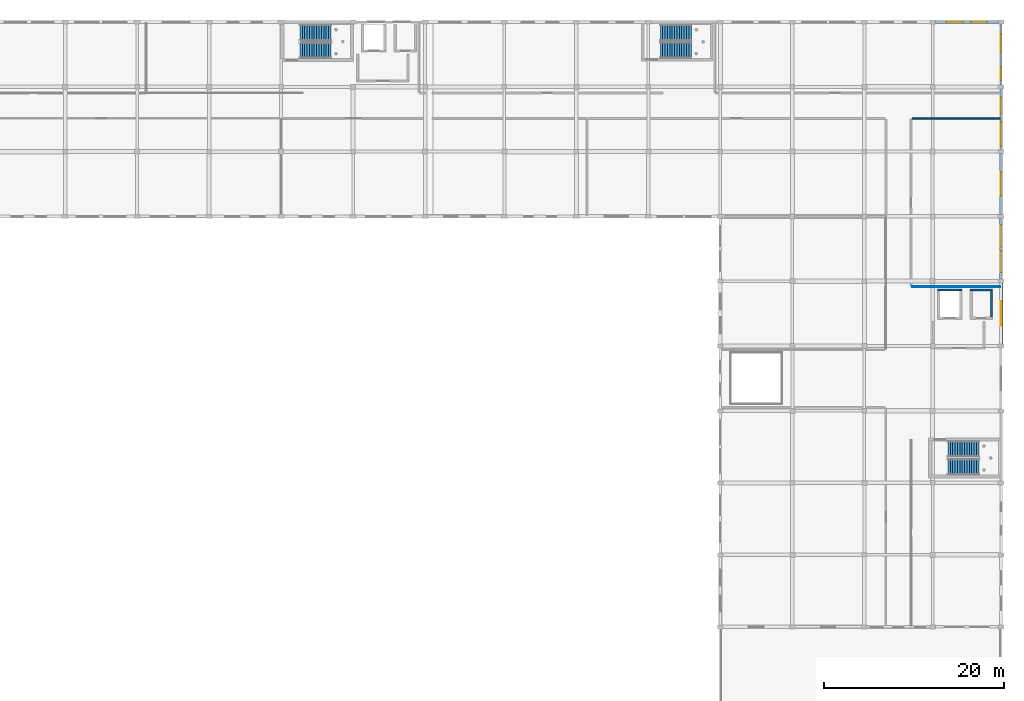
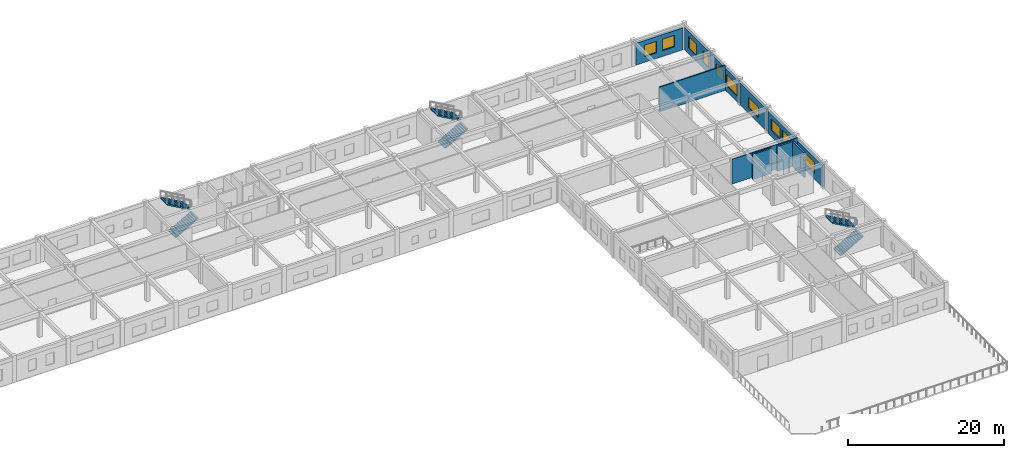
# One storey, part 15 of 19: 11 walls, 10 windows, 6 stair flights, 10 openings, 3 elements without a shape of their own.
"""IFC4 building model written with IfcOpenShell, lengths in metres."""

import ifcopenshell
import ifcopenshell.guid

model = None  # the IFC model being written
_history = None  # IfcOwnerHistory: only IFC2X3 demands one
_inside = {}  # id of a spatial element -> (the spatial element, [elements in it])
_under = {}  # id of a project, library or spatial element -> (it, [spatial elements below it])
_declared = {}  # id of a project -> (the project, [libraries it declares])
_typed = {}  # id of a type object -> (the type object, [elements of that type])
_made_of = {}  # id of a material, layer set ... -> (it, [elements and type objects made of it])


def new_model(schema):
    """Start an empty IFC model of exactly this schema.

    Asked for "IFC4X3", IfcOpenShell would pick the latest addendum, in which some entities
    have other attributes; the version numbers below select the first issue.
    IFC2X3 requires an IfcOwnerHistory on every rooted entity: one is made here for all.
    """
    global model, _history
    if schema == "IFC4X3":
        model = ifcopenshell.file(schema_version=(4, 3, 0, 0))
    else:
        model = ifcopenshell.file(schema=schema)
    _inside.clear()
    _under.clear()
    _declared.clear()
    _typed.clear()
    _made_of.clear()
    _history = None
    if model.schema == "IFC2X3":
        org = make("IfcOrganization", Name="unknown")
        user = make(
            "IfcPersonAndOrganization",
            ThePerson=make("IfcPerson", FamilyName="unknown"),
            TheOrganization=org,
        )
        app = make(
            "IfcApplication",
            ApplicationDeveloper=org,
            Version="unknown",
            ApplicationFullName="unknown",
            ApplicationIdentifier="unknown",
        )
        _history = make(
            "IfcOwnerHistory",
            OwningUser=user,
            OwningApplication=app,
            ChangeAction="ADDED",
            CreationDate=0,
        )
    return model


def make(cls, **values):
    """One entity of the class cls with the attributes given. An attribute that is None is left unset."""
    return model.create_entity(
        cls, **{name: value for name, value in values.items() if value is not None}
    )


def rooted(cls, **values):
    """An entity with a GlobalId (a new one), such as an element, a storey or a relation."""
    return make(cls, GlobalId=ifcopenshell.guid.new(), OwnerHistory=_history, **values)


def si_unit(unit_type, name, prefix=None):
    """IfcSIUnit, for example si_unit("LENGTHUNIT", "METRE", prefix="MILLI")."""
    return make("IfcSIUnit", UnitType=unit_type, Prefix=prefix, Name=name)


def assignment(units):
    """IfcUnitAssignment: the units of a project."""
    return None if units is None else make("IfcUnitAssignment", Units=units)


def point(xyz):
    """IfcCartesianPoint."""
    return None if xyz is None else make("IfcCartesianPoint", Coordinates=xyz)


def direction(xyz):
    """IfcDirection."""
    return None if xyz is None else make("IfcDirection", DirectionRatios=xyz)


def frame(location, z_axis=None, x_axis=None):
    """IfcAxis2Placement3D, a coordinate frame: its origin and axes. An axis left out is left unset."""
    return make(
        "IfcAxis2Placement3D",
        Location=point(location),
        Axis=direction(z_axis),
        RefDirection=direction(x_axis),
    )


def frame_2d(location, x_axis=None):
    """IfcAxis2Placement2D, a coordinate frame in the plane: its origin and x axis."""
    return make(
        "IfcAxis2Placement2D", Location=point(location), RefDirection=direction(x_axis)
    )


def origin():
    """The frame at (0, 0, 0) with its axes left unset."""
    return frame((0.0, 0.0, 0.0))


def place(relative_to, where):
    """IfcLocalPlacement: puts the frame where relative to a parent placement (None: the world)."""
    return make(
        "IfcLocalPlacement", PlacementRelTo=relative_to, RelativePlacement=where
    )


def context(
    kind, dimensions, precision=None, world=None, true_north=None, identifier=None
):
    """IfcGeometricRepresentationContext, for example the 3D "Model" context."""
    return make(
        "IfcGeometricRepresentationContext",
        ContextIdentifier=identifier,
        ContextType=kind,
        CoordinateSpaceDimension=dimensions,
        Precision=precision,
        WorldCoordinateSystem=world,
        TrueNorth=true_north,
    )


def subcontext(parent, identifier, kind, view, scale=None):
    """IfcGeometricRepresentationSubContext, for example "Body" below "Model"."""
    return make(
        "IfcGeometricRepresentationSubContext",
        ContextIdentifier=identifier,
        ContextType=kind,
        ParentContext=parent,
        TargetScale=scale,
        TargetView=view,
    )


def project(units=None, contexts=None):
    """IfcProject with its units and contexts."""
    return rooted(
        "IfcProject",
        Name="project",
        RepresentationContexts=contexts,
        UnitsInContext=assignment(units),
    )


def spatial(cls, under=None, at=None, **own):
    """A site, building, storey or space (cls), placed at a placement, below another one or the project."""
    s = rooted(cls, ObjectPlacement=at, **own)
    if under is not None:
        _under.setdefault(under.id(), (under, []))[1].append(s)
    return s


def polyline(points):
    """IfcPolyline through the points."""
    return make("IfcPolyline", Points=[point(p) for p in points])


def profile(cls, at=None, kind="AREA", **sizes):
    """A parametric profile (cls). Its sizes go by their IFC names, for example OverallWidth=200.0."""
    return make(cls, ProfileType=kind, Position=at, **sizes)


def rectangle(**sizes):
    """IfcRectangleProfileDef."""
    return profile("IfcRectangleProfileDef", **sizes)


def outline(outer, holes=None, kind="AREA"):
    """IfcArbitraryClosedProfileDef: a profile drawn as a closed curve; with holes, ...WithVoids."""
    if holes is None:
        return make("IfcArbitraryClosedProfileDef", ProfileType=kind, OuterCurve=outer)
    return make(
        "IfcArbitraryProfileDefWithVoids",
        ProfileType=kind,
        OuterCurve=outer,
        InnerCurves=holes,
    )


def extrude(swept, where, along, depth):
    """IfcExtrudedAreaSolid: the profile swept, set in the frame where, extruded along a direction by depth."""
    return make(
        "IfcExtrudedAreaSolid",
        SweptArea=swept,
        Position=where,
        ExtrudedDirection=direction(along),
        Depth=depth,
    )


def shape(context_of_items, identifier, shape_type, items):
    """IfcShapeRepresentation: the items that make up one representation, for example the "Body"."""
    return make(
        "IfcShapeRepresentation",
        ContextOfItems=context_of_items,
        RepresentationIdentifier=identifier,
        RepresentationType=shape_type,
        Items=items,
    )


def material(Name=None, Category=None):
    """IfcMaterial."""
    return make("IfcMaterial", Name=Name, Category=Category)


def layer(
    of_material, thickness, ventilated=None, Name=None, Category=None, Priority=None
):
    """IfcMaterialLayer: one layer of a wall or slab, of a material (None: an air gap)."""
    return make(
        "IfcMaterialLayer",
        Material=of_material,
        LayerThickness=thickness,
        IsVentilated=ventilated,
        Name=Name,
        Category=Category,
        Priority=Priority,
    )


def layer_set(layers, Name=None):
    """IfcMaterialLayerSet."""
    return make("IfcMaterialLayerSet", MaterialLayers=layers, LayerSetName=Name)


def made_of(thing, what):
    """Note that an element or type object is made of a material, layer set ...; save() writes the relation."""
    if what is not None:
        _made_of.setdefault(what.id(), (what, []))[1].append(thing)
    return thing


def type_object(cls, material=None, **own):
    """A type object (cls), such as IfcWallType, which elements share."""
    return made_of(rooted(cls, **own), material)


def element(
    cls,
    number,
    at=None,
    inside=None,
    cuts=None,
    type_object=None,
    material=None,
    context=None,
    identifier="Body",
    shape_type=None,
    held_by="IfcProductDefinitionShape",
    body=None,
    shapes=None,
    **own,
):
    """One element of the class cls, such as IfcWall. Its Tag is "e" and its number.

    at: its placement. inside: the storey or other place that contains it. cuts: it is an
    opening in that element (IfcRelVoidsElement). A single representation is given by context,
    identifier, shape_type and body (its items); several are given by shapes. held_by: the class
    of the entity that holds the representations. save() writes the other relations.
    """
    e = rooted(cls, Tag="e%d" % number, ObjectPlacement=at, **own)
    if body is not None:
        shapes = [shape(context, identifier, shape_type, body)]
    if shapes is not None:
        e.Representation = make(held_by, Representations=shapes)
    if inside is not None:
        _inside.setdefault(inside.id(), (inside, []))[1].append(e)
    if cuts is not None:
        rooted(
            "IfcRelVoidsElement", RelatingBuildingElement=cuts, RelatedOpeningElement=e
        )
    if type_object is not None:
        _typed.setdefault(type_object.id(), (type_object, []))[1].append(e)
    return made_of(e, material)


def fill(opening, filler):
    """IfcRelFillsElement: the door or window that sits in an opening."""
    return rooted(
        "IfcRelFillsElement",
        RelatingOpeningElement=opening,
        RelatedBuildingElement=filler,
    )


def aggregate(whole, parts):
    """IfcRelAggregates: a whole, such as a stair, and the parts it consists of."""
    return rooted("IfcRelAggregates", RelatingObject=whole, RelatedObjects=parts)


def save(model, path):
    """Write the relations noted so far, then the file.

    IfcRelAggregates (storeys below a building ...), IfcRelContainedInSpatialStructure (elements
    in a storey), IfcRelDefinesByType, IfcRelAssociatesMaterial and IfcRelDeclares: one each for
    every whole, place, type object, material and project.
    """
    for whole, parts in _under.values():
        aggregate(whole, parts)
    for where, things in _inside.values():
        rooted(
            "IfcRelContainedInSpatialStructure",
            RelatedElements=things,
            RelatingStructure=where,
        )
    for kind, things in _typed.values():
        rooted("IfcRelDefinesByType", RelatedObjects=things, RelatingType=kind)
    for what, things in _made_of.values():
        rooted("IfcRelAssociatesMaterial", RelatedObjects=things, RelatingMaterial=what)
    for by, libraries in _declared.values():
        rooted("IfcRelDeclares", RelatingContext=by, RelatedDefinitions=libraries)
    model.write(path)


model = new_model("IFC4")

# Units and contexts
model_context = context("Model", 3, precision=1e-05, world=origin(), true_north=direction((0.0, 1.0)))
body_context = subcontext(model_context, "Body", "Model", "MODEL_VIEW")
ifc_project = project(units=[si_unit("LENGTHUNIT", "METRE"), si_unit("AREAUNIT", "SQUARE_METRE"), si_unit("VOLUMEUNIT", "CUBIC_METRE"), si_unit("PLANEANGLEUNIT", "RADIAN"), si_unit("MASSUNIT", "GRAM", prefix="KILO")], contexts=[model_context])

# Site, building, storey
site_placement = place(None, origin())
site = spatial("IfcSite", under=ifc_project, at=site_placement, CompositionType="ELEMENT")
building_placement = place(site_placement, origin())
building = spatial("IfcBuilding", under=site, at=building_placement, Name="Kharva Crest Polytechnic", CompositionType="ELEMENT")
storey_placement = place(building_placement, frame((0.0, 0.0, 21.60009765625)))
storey = spatial("IfcBuildingStorey", under=building, at=storey_placement, Name="L05", CompositionType="ELEMENT", Elevation=21.60009765625)

# Wall, openings, windows
ifc_material_1 = material(Name="Kiln brick masonry", Category="masonry")
ifc_layer_1 = layer(ifc_material_1, 0.260009765625, Name="Kiln brick masonry")
ifc_layer_set_1 = layer_set([ifc_layer_1], Name="Kiln brick masonry")
wall_type_1 = type_object("IfcWallType", Name="WL-EXT-BRK-260", PredefinedType="SOLIDWALL", material=ifc_layer_set_1)
wall_1_placement = place(storey_placement, frame((184.0, 115.02001953125, 0.0), z_axis=(0.0, 0.0, 1.0), x_axis=(0.0, 1.0, 0.0)))
wall_1 = element("IfcWall", 1, at=wall_1_placement, inside=storey, type_object=wall_type_1, Name="L05 Exterior Brick Wall 422", PredefinedType="SOLIDWALL", context=body_context, shape_type="SweptSolid", body=[
    extrude(rectangle(XDim=6.760009765625, YDim=0.260009765625, at=frame_2d((3.3798828125, 0.0))), origin(), (0.0, 0.0, 1.0), 3.539794921875),
])
opening_1_placement = place(wall_1_placement, frame((0.534912109375, 0.0, 0.89990234375)))
opening_1 = element("IfcOpeningElement", 2, at=opening_1_placement, cuts=wall_1, Name="Opening W07", PredefinedType="OPENING", context=body_context, shape_type="SweptSolid", body=[
    extrude(rectangle(XDim=1.39990234375, YDim=1.800048828125, at=frame_2d((0.699951171875, 0.89990234375))), frame((0.0, 0.139892578125, 0.0), z_axis=(0.0, -1.0, 0.0), x_axis=(1.0, 0.0, 0.0)), (0.0, 0.0, 1.0), 0.280029296875),
])
opening_2_placement = place(wall_1_placement, frame((3.614990234375, 0.0, 0.89990234375)))
opening_2 = element("IfcOpeningElement", 3, at=opening_2_placement, cuts=wall_1, Name="Opening W04", PredefinedType="OPENING", context=body_context, shape_type="SweptSolid", body=[
    extrude(rectangle(XDim=2.0, YDim=1.800048828125, at=frame_2d((1.0, 0.89990234375))), frame((0.0, 0.139892578125, 0.0), z_axis=(0.0, -1.0, 0.0), x_axis=(1.0, 0.0, 0.0)), (0.0, 0.0, 1.0), 0.280029296875),
])
ifc_material_2 = material(Name="Anodised aluminium", Category="aluminium")
window_type_1 = type_object("IfcWindowType", Name="WIN-ALU-1400X1800", PartitioningType="SINGLE_PANEL", PredefinedType="WINDOW", material=ifc_material_2)
window_1_placement = place(opening_1_placement, origin())
window_1 = element("IfcWindow", 4, at=window_1_placement, inside=storey, type_object=window_type_1, Name="L05 Exterior Window 597", OverallHeight=1.800048828125, OverallWidth=1.39990234375, PartitioningType="SINGLE_PANEL", PredefinedType="WINDOW", context=body_context, shape_type="SweptSolid", body=[
    extrude(rectangle(XDim=1.39990234375, YDim=1.800048828125, at=frame_2d((0.699951171875, 0.89990234375))), frame((0.0, 0.030029296875, 0.0), z_axis=(0.0, -1.0, 0.0), x_axis=(1.0, 0.0, 0.0)), (0.0, 0.0, 1.0), 0.06005859375),
])
fill(opening_1, window_1)
window_type_2 = type_object("IfcWindowType", Name="WIN-ALU-2000X1800", PartitioningType="SINGLE_PANEL", PredefinedType="WINDOW", material=ifc_material_2)
window_2_placement = place(opening_2_placement, origin())
window_2 = element("IfcWindow", 5, at=window_2_placement, inside=storey, type_object=window_type_2, Name="L05 Exterior Window 598", OverallHeight=1.800048828125, OverallWidth=2.0, PartitioningType="SINGLE_PANEL", PredefinedType="WINDOW", context=body_context, shape_type="SweptSolid", body=[
    extrude(rectangle(XDim=2.0, YDim=1.800048828125, at=frame_2d((1.0, 0.89990234375))), frame((0.0, 0.030029296875, 0.0), z_axis=(0.0, -1.0, 0.0), x_axis=(1.0, 0.0, 0.0)), (0.0, 0.0, 1.0), 0.06005859375),
])
fill(opening_2, window_2)

ifc_layer_2 = layer(ifc_material_1, 0.27490234375, Name="Kiln brick masonry")
ifc_layer_set_2 = layer_set([ifc_layer_2], Name="Kiln brick masonry")
wall_type_2 = type_object("IfcWallType", Name="WL-EXT-BRK-275", PredefinedType="SOLIDWALL", material=ifc_layer_set_2)
wall_2_placement = place(storey_placement, frame((184.0, 107.820068359375, 0.0), z_axis=(0.0, 0.0, 1.0), x_axis=(0.0, 1.0, 0.0)))
wall_2 = element("IfcWall", 6, at=wall_2_placement, inside=storey, type_object=wall_type_2, Name="L05 Exterior Brick Wall 421", PredefinedType="SOLIDWALL", context=body_context, shape_type="SweptSolid", body=[
    extrude(rectangle(XDim=6.760009765625, YDim=0.27490234375, at=frame_2d((3.3798828125, 0.0))), origin(), (0.0, 0.0, 1.0), 3.52001953125),
])
opening_3_placement = place(wall_2_placement, frame((0.389892578125, 0.0, 0.89990234375)))
opening_3 = element("IfcOpeningElement", 7, at=opening_3_placement, cuts=wall_2, Name="Opening W01", PredefinedType="OPENING", context=body_context, shape_type="SweptSolid", body=[
    extrude(rectangle(XDim=2.699951171875, YDim=1.800048828125, at=frame_2d((1.35009765625, 0.89990234375))), frame((0.0, 0.1474609375, 0.0), z_axis=(0.0, -1.0, 0.0), x_axis=(1.0, 0.0, 0.0)), (0.0, 0.0, 1.0), 0.294921875),
])
opening_4_placement = place(wall_2_placement, frame((3.97998046875, 0.0, 0.89990234375)))
opening_4 = element("IfcOpeningElement", 8, at=opening_4_placement, cuts=wall_2, Name="Opening W05", PredefinedType="OPENING", context=body_context, shape_type="SweptSolid", body=[
    extrude(rectangle(XDim=1.800048828125, YDim=1.800048828125, at=frame_2d((0.89990234375, 0.89990234375))), frame((0.0, 0.1474609375, 0.0), z_axis=(0.0, -1.0, 0.0), x_axis=(1.0, 0.0, 0.0)), (0.0, 0.0, 1.0), 0.294921875),
])
window_type_3 = type_object("IfcWindowType", Name="WIN-ALU-1800X1800", PartitioningType="SINGLE_PANEL", PredefinedType="WINDOW", material=ifc_material_2)
window_3_placement = place(opening_4_placement, origin())
window_3 = element("IfcWindow", 9, at=window_3_placement, inside=storey, type_object=window_type_3, Name="L05 Exterior Window 596", OverallHeight=1.800048828125, OverallWidth=1.800048828125, PartitioningType="SINGLE_PANEL", PredefinedType="WINDOW", context=body_context, shape_type="SweptSolid", body=[
    extrude(rectangle(XDim=1.800048828125, YDim=1.800048828125, at=frame_2d((0.89990234375, 0.89990234375))), frame((0.0, 0.030029296875, 0.0), z_axis=(0.0, -1.0, 0.0), x_axis=(1.0, 0.0, 0.0)), (0.0, 0.0, 1.0), 0.06005859375),
])
fill(opening_4, window_3)
window_type_4 = type_object("IfcWindowType", Name="WIN-ALU-2700X1800", PartitioningType="SINGLE_PANEL", PredefinedType="WINDOW", material=ifc_material_2)
window_4_placement = place(opening_3_placement, origin())
window_4 = element("IfcWindow", 10, at=window_4_placement, inside=storey, type_object=window_type_4, Name="L05 Exterior Window 595", OverallHeight=1.800048828125, OverallWidth=2.699951171875, PartitioningType="SINGLE_PANEL", PredefinedType="WINDOW", context=body_context, shape_type="SweptSolid", body=[
    extrude(rectangle(XDim=2.699951171875, YDim=1.800048828125, at=frame_2d((1.35009765625, 0.89990234375))), frame((0.0, 0.030029296875, 0.0), z_axis=(0.0, -1.0, 0.0), x_axis=(1.0, 0.0, 0.0)), (0.0, 0.0, 1.0), 0.06005859375),
])
fill(opening_3, window_4)

# Wall, opening, window
ifc_layer_3 = layer(ifc_material_1, 0.2900390625, Name="Kiln brick masonry")
ifc_layer_set_3 = layer_set([ifc_layer_3], Name="Kiln brick masonry")
wall_type_3 = type_object("IfcWallType", Name="WL-EXT-BRK-290", PredefinedType="SOLIDWALL", material=ifc_layer_set_3)
wall_3_placement = place(storey_placement, frame((184.0, 100.6201171875, 0.0), z_axis=(0.0, 0.0, 1.0), x_axis=(0.0, 1.0, 0.0)))
wall_3 = element("IfcWall", 11, at=wall_3_placement, inside=storey, type_object=wall_type_3, Name="L05 Exterior Brick Wall 420", PredefinedType="SOLIDWALL", context=body_context, shape_type="SweptSolid", body=[
    extrude(rectangle(XDim=6.759765625, YDim=0.2900390625, at=frame_2d((3.3798828125, 0.0))), origin(), (0.0, 0.0, 1.0), 3.4599609375),
])
opening_5_placement = place(wall_3_placement, frame((2.080078125, 0.0, 0.89990234375)))
opening_5 = element("IfcOpeningElement", 12, at=opening_5_placement, cuts=wall_3, Name="Opening W24", PredefinedType="OPENING", context=body_context, shape_type="SweptSolid", body=[
    extrude(rectangle(XDim=2.60009765625, YDim=1.64990234375, at=frame_2d((1.300048828125, 0.824951171875))), frame((0.0, 0.155029296875, 0.0), z_axis=(0.0, -1.0, 0.0), x_axis=(1.0, 0.0, 0.0)), (0.0, 0.0, 1.0), 0.31005859375),
])
window_type_5 = type_object("IfcWindowType", Name="WIN-ALU-2600X1650", PartitioningType="SINGLE_PANEL", PredefinedType="WINDOW", material=ifc_material_2)
window_5_placement = place(opening_5_placement, origin())
window_5 = element("IfcWindow", 13, at=window_5_placement, inside=storey, type_object=window_type_5, Name="L05 Exterior Window 594", OverallHeight=1.64990234375, OverallWidth=2.60009765625, PartitioningType="SINGLE_PANEL", PredefinedType="WINDOW", context=body_context, shape_type="SweptSolid", body=[
    extrude(rectangle(XDim=2.60009765625, YDim=1.64990234375, at=frame_2d((1.300048828125, 0.824951171875))), frame((0.0, 0.030029296875, 0.0), z_axis=(0.0, -1.0, 0.0), x_axis=(1.0, 0.0, 0.0)), (0.0, 0.0, 1.0), 0.06005859375),
])
fill(opening_5, window_5)

# Wall, openings, windows
ifc_layer_4 = layer(ifc_material_1, 0.364990234375, Name="Kiln brick masonry")
ifc_layer_set_4 = layer_set([ifc_layer_4], Name="Kiln brick masonry")
wall_type_4 = type_object("IfcWallType", Name="WL-EXT-BRK-365", PredefinedType="SOLIDWALL", material=ifc_layer_set_4)
wall_4_placement = place(storey_placement, frame((184.0, 93.419921875, 0.0), z_axis=(0.0, 0.0, 1.0), x_axis=(0.0, 1.0, 0.0)))
wall_4 = element("IfcWall", 14, at=wall_4_placement, inside=storey, type_object=wall_type_4, Name="L05 Exterior Brick Wall 469", PredefinedType="SOLIDWALL", context=body_context, shape_type="SweptSolid", body=[
    extrude(rectangle(XDim=6.760009765625, YDim=0.364990234375, at=frame_2d((3.3798828125, 0.0))), origin(), (0.0, 0.0, 1.0), 3.39990234375),
])
opening_6_placement = place(wall_4_placement, frame((0.760009765625, 0.0, 0.89990234375)))
opening_6 = element("IfcOpeningElement", 15, at=opening_6_placement, cuts=wall_4, Name="Opening W02", PredefinedType="OPENING", context=body_context, shape_type="SweptSolid", body=[
    extrude(rectangle(XDim=2.39990234375, YDim=1.800048828125, at=frame_2d((1.199951171875, 0.89990234375))), frame((0.0, 0.1923828125, 0.0), z_axis=(0.0, -1.0, 0.0), x_axis=(1.0, 0.0, 0.0)), (0.0, 0.0, 1.0), 0.385009765625),
])
opening_7_placement = place(wall_4_placement, frame((3.60009765625, 0.0, 0.89990234375)))
opening_7 = element("IfcOpeningElement", 16, at=opening_7_placement, cuts=wall_4, Name="Opening W02", PredefinedType="OPENING", context=body_context, shape_type="SweptSolid", body=[
    extrude(rectangle(XDim=2.39990234375, YDim=1.800048828125, at=frame_2d((1.199951171875, 0.89990234375))), frame((0.0, 0.1923828125, 0.0), z_axis=(0.0, -1.0, 0.0), x_axis=(1.0, 0.0, 0.0)), (0.0, 0.0, 1.0), 0.385009765625),
])
window_type_6 = type_object("IfcWindowType", Name="WIN-ALU-2400X1800", PartitioningType="SINGLE_PANEL", PredefinedType="WINDOW", material=ifc_material_2)
window_6_placement = place(opening_6_placement, origin())
window_6 = element("IfcWindow", 17, at=window_6_placement, inside=storey, type_object=window_type_6, Name="L05 Exterior Window 668", OverallHeight=1.800048828125, OverallWidth=2.39990234375, PartitioningType="SINGLE_PANEL", PredefinedType="WINDOW", context=body_context, shape_type="SweptSolid", body=[
    extrude(rectangle(XDim=2.39990234375, YDim=1.800048828125, at=frame_2d((1.199951171875, 0.89990234375))), frame((0.0, 0.030029296875, 0.0), z_axis=(0.0, -1.0, 0.0), x_axis=(1.0, 0.0, 0.0)), (0.0, 0.0, 1.0), 0.06005859375),
])
fill(opening_6, window_6)
window_7_placement = place(opening_7_placement, origin())
window_7 = element("IfcWindow", 18, at=window_7_placement, inside=storey, type_object=window_type_6, Name="L05 Exterior Window 669", OverallHeight=1.800048828125, OverallWidth=2.39990234375, PartitioningType="SINGLE_PANEL", PredefinedType="WINDOW", context=body_context, shape_type="SweptSolid", body=[
    extrude(rectangle(XDim=2.39990234375, YDim=1.800048828125, at=frame_2d((1.199951171875, 0.89990234375))), frame((0.0, 0.030029296875, 0.0), z_axis=(0.0, -1.0, 0.0), x_axis=(1.0, 0.0, 0.0)), (0.0, 0.0, 1.0), 0.06005859375),
])
fill(opening_7, window_7)

ifc_layer_5 = layer(ifc_material_1, 0.3798828125, Name="Kiln brick masonry")
ifc_layer_set_5 = layer_set([ifc_layer_5], Name="Kiln brick masonry")
wall_type_5 = type_object("IfcWallType", Name="WL-EXT-BRK-380", PredefinedType="SOLIDWALL", material=ifc_layer_set_5)
wall_5_placement = place(storey_placement, frame((183.695068359375, 122.0, 0.0), z_axis=(0.0, 0.0, 1.0), x_axis=(-1.0, 0.0, 0.0)))
wall_5 = element("IfcWall", 19, at=wall_5_placement, inside=storey, type_object=wall_type_5, Name="L05 Exterior Brick Wall 423", PredefinedType="SOLIDWALL", context=body_context, shape_type="SweptSolid", body=[
    extrude(rectangle(XDim=6.97509765625, YDim=0.3798828125, at=frame_2d((3.487548828125, 0.0))), origin(), (0.0, 0.0, 1.0), 3.429931640625),
])
opening_8_placement = place(wall_5_placement, frame((1.23193359375, 0.0, 0.89990234375)))
opening_8 = element("IfcOpeningElement", 20, at=opening_8_placement, cuts=wall_5, Name="Opening W05", PredefinedType="OPENING", context=body_context, shape_type="SweptSolid", body=[
    extrude(rectangle(XDim=1.800048828125, YDim=1.800048828125, at=frame_2d((0.89990234375, 0.89990234375))), frame((0.0, 0.199951171875, 0.0), z_axis=(0.0, -1.0, 0.0), x_axis=(1.0, 0.0, 0.0)), (0.0, 0.0, 1.0), 0.39990234375),
])
opening_9_placement = place(wall_5_placement, frame((3.943115234375, 0.0, 0.89990234375)))
opening_9 = element("IfcOpeningElement", 21, at=opening_9_placement, cuts=wall_5, Name="Opening W05", PredefinedType="OPENING", context=body_context, shape_type="SweptSolid", body=[
    extrude(rectangle(XDim=1.800048828125, YDim=1.800048828125, at=frame_2d((0.89990234375, 0.89990234375))), frame((0.0, 0.199951171875, 0.0), z_axis=(0.0, -1.0, 0.0), x_axis=(1.0, 0.0, 0.0)), (0.0, 0.0, 1.0), 0.39990234375),
])
window_8_placement = place(opening_8_placement, origin())
window_8 = element("IfcWindow", 22, at=window_8_placement, inside=storey, type_object=window_type_3, Name="L05 Exterior Window 599", OverallHeight=1.800048828125, OverallWidth=1.800048828125, PartitioningType="SINGLE_PANEL", PredefinedType="WINDOW", context=body_context, shape_type="SweptSolid", body=[
    extrude(rectangle(XDim=1.800048828125, YDim=1.800048828125, at=frame_2d((0.89990234375, 0.89990234375))), frame((0.0, 0.030029296875, 0.0), z_axis=(0.0, -1.0, 0.0), x_axis=(1.0, 0.0, 0.0)), (0.0, 0.0, 1.0), 0.06005859375),
])
fill(opening_8, window_8)
window_9_placement = place(opening_9_placement, origin())
window_9 = element("IfcWindow", 23, at=window_9_placement, inside=storey, type_object=window_type_3, Name="L05 Exterior Window 600", OverallHeight=1.800048828125, OverallWidth=1.800048828125, PartitioningType="SINGLE_PANEL", PredefinedType="WINDOW", context=body_context, shape_type="SweptSolid", body=[
    extrude(rectangle(XDim=1.800048828125, YDim=1.800048828125, at=frame_2d((0.89990234375, 0.89990234375))), frame((0.0, 0.030029296875, 0.0), z_axis=(0.0, -1.0, 0.0), x_axis=(1.0, 0.0, 0.0)), (0.0, 0.0, 1.0), 0.06005859375),
])
fill(opening_9, window_9)

# Wall, opening, window
wall_6_placement = place(storey_placement, frame((184.0, 86.219970703125, 0.0), z_axis=(0.0, 0.0, 1.0), x_axis=(0.0, 1.0, 0.0)))
wall_6 = element("IfcWall", 24, at=wall_6_placement, inside=storey, type_object=wall_type_5, Name="L05 Exterior Brick Wall 468", PredefinedType="SOLIDWALL", context=body_context, shape_type="SweptSolid", body=[
    extrude(rectangle(XDim=6.760009765625, YDim=0.3798828125, at=frame_2d((3.3798828125, 0.0))), origin(), (0.0, 0.0, 1.0), 3.35986328125),
])
opening_10_placement = place(wall_6_placement, frame((2.030029296875, 0.0, 0.89990234375)))
opening_10 = element("IfcOpeningElement", 25, at=opening_10_placement, cuts=wall_6, Name="Opening W01", PredefinedType="OPENING", context=body_context, shape_type="SweptSolid", body=[
    extrude(rectangle(XDim=2.699951171875, YDim=1.800048828125, at=frame_2d((1.35009765625, 0.89990234375))), frame((0.0, 0.199951171875, 0.0), z_axis=(0.0, -1.0, 0.0), x_axis=(1.0, 0.0, 0.0)), (0.0, 0.0, 1.0), 0.39990234375),
])
window_10_placement = place(opening_10_placement, origin())
window_10 = element("IfcWindow", 26, at=window_10_placement, inside=storey, type_object=window_type_4, Name="L05 Exterior Window 667", OverallHeight=1.800048828125, OverallWidth=2.699951171875, PartitioningType="SINGLE_PANEL", PredefinedType="WINDOW", context=body_context, shape_type="SweptSolid", body=[
    extrude(rectangle(XDim=2.699951171875, YDim=1.800048828125, at=frame_2d((1.35009765625, 0.89990234375))), frame((0.0, 0.030029296875, 0.0), z_axis=(0.0, -1.0, 0.0), x_axis=(1.0, 0.0, 0.0)), (0.0, 0.0, 1.0), 0.06005859375),
])
fill(opening_10, window_10)

# Walls
ifc_layer_6 = layer(ifc_material_1, 0.090087890625, Name="Kiln brick masonry")
ifc_layer_set_6 = layer_set([ifc_layer_6], Name="Kiln brick masonry")
wall_type_6 = type_object("IfcWallType", Name="WL-PART-090", PredefinedType="PARTITIONING", material=ifc_layer_set_6)
wall_7_placement = place(storey_placement, frame((174.1201171875, 92.60009765625, 0.0), z_axis=(0.0, 0.0, 1.0), x_axis=(1.0, 0.0, 0.0)))
element("IfcWall", 27, at=wall_7_placement, inside=storey, type_object=wall_type_6, Name="L05 Interior Partition 389", PredefinedType="PARTITIONING", context=body_context, shape_type="SweptSolid", body=[
    extrude(rectangle(XDim=9.769775390625, YDim=0.090087890625, at=frame_2d((4.884765625, 0.0))), origin(), (0.0, 0.0, 1.0), 3.89990234375),
])
ifc_layer_7 = layer(ifc_material_1, 0.179931640625, Name="Kiln brick masonry")
ifc_layer_set_7 = layer_set([ifc_layer_7], Name="Kiln brick masonry")
wall_type_7 = type_object("IfcWallType", Name="WL-PART-180", PredefinedType="PARTITIONING", material=ifc_layer_set_7)
wall_8_placement = place(storey_placement, frame((174.1201171875, 111.300048828125, 0.0), z_axis=(0.0, 0.0, 1.0), x_axis=(1.0, 0.0, 0.0)))
element("IfcWall", 28, at=wall_8_placement, inside=storey, type_object=wall_type_7, Name="L05 Interior Partition 390", PredefinedType="PARTITIONING", context=body_context, shape_type="SweptSolid", body=[
    extrude(rectangle(XDim=9.769775390625, YDim=0.179931640625, at=frame_2d((4.884765625, 0.0))), origin(), (0.0, 0.0, 1.0), 3.89990234375),
])
ifc_material_3 = material(Name="Concrete C40/50", Category="concrete")
ifc_layer_8 = layer(ifc_material_3, 0.25, Name="Concrete C40/50")
ifc_layer_set_8 = layer_set([ifc_layer_8], Name="Concrete C40/50")
wall_type_8 = type_object("IfcWallType", Name="WL-SHEAR-SW1-250", PredefinedType="SHEAR", material=ifc_layer_set_8)
wall_9_placement = place(storey_placement, frame((176.949951171875, 92.22509765625, 0.0), z_axis=(0.0, 0.0, 1.0), x_axis=(1.0, 0.0, 0.0)))
element("IfcWall", 29, at=wall_9_placement, inside=storey, type_object=wall_type_8, Name="L05 Lift FL2 North Shaft Wall", PredefinedType="SHEAR", context=body_context, shape_type="SweptSolid", body=[
    extrude(rectangle(XDim=2.699951171875, YDim=0.25, at=frame_2d((1.35009765625, 0.0))), origin(), (0.0, 0.0, 1.0), 3.919921875),
])
wall_10_placement = place(storey_placement, frame((180.550048828125, 92.22509765625, 0.0), z_axis=(0.0, 0.0, 1.0), x_axis=(1.0, 0.0, 0.0)))
element("IfcWall", 30, at=wall_10_placement, inside=storey, type_object=wall_type_8, Name="L05 Core C5 Riser North Wall", PredefinedType="SHEAR", context=body_context, shape_type="SweptSolid", body=[
    extrude(rectangle(XDim=2.5, YDim=0.25, at=frame_2d((1.25, 0.0))), origin(), (0.0, 0.0, 1.0), 3.919921875),
])
wall_11_placement = place(storey_placement, frame((182.925048828125, 89.199951171875, 0.0), z_axis=(0.0, 0.0, 1.0), x_axis=(0.0, 1.0, 0.0)))
element("IfcWall", 31, at=wall_11_placement, inside=storey, type_object=wall_type_8, Name="L05 Core C5 Riser East Wall", PredefinedType="SHEAR", context=body_context, shape_type="SweptSolid", body=[
    extrude(rectangle(XDim=2.900146484375, YDim=0.25, at=frame_2d((1.4501953125, 0.0))), origin(), (0.0, 0.0, 1.0), 3.919921875),
])

# Stair, stair flights
ifc_material_4 = material(Name="Concrete C35/45", Category="concrete")
stair_type_1 = type_object("IfcStairType", Name="STR-DOGLEG-1780", PredefinedType="TWO_STRAIGHT_RUN_STAIR", material=ifc_material_4)
stair_1_placement = place(storey_placement, origin())
stair_1 = element("IfcStair", 32, at=stair_1_placement, inside=storey, type_object=stair_type_1, Name="L05 North Crest Firefighting Core C4", PredefinedType="TWO_STRAIGHT_RUN_STAIR")
stair_flight_type_1 = type_object("IfcStairFlightType", Name="STF-RC-1780", PredefinedType="STRAIGHT", material=ifc_material_4)
stair_flight_1_placement = place(storey_placement, frame((106.090087890625, 118.830078125, 0.0), z_axis=(0.0, 0.0, 1.0), x_axis=(1.0, 0.0, 0.0)))
stair_flight_1 = element("IfcStairFlight", 33, at=stair_flight_1_placement, type_object=stair_flight_type_1, Name="ST-04 flight 1", NumberOfRisers=14, NumberOfTreads=13, PredefinedType="STRAIGHT", RiserHeight=0.15, TreadLength=0.265, context=body_context, shape_type="SweptSolid", body=[
    extrude(outline(polyline([(0.0, 0.0), (0.0, 0.14990234375), (0.264892578125, 0.14990234375), (0.264892578125, 0.300048828125), (0.530029296875, 0.300048828125), (0.530029296875, 0.449951171875), (0.794921875, 0.449951171875), (0.794921875, 0.60009765625), (1.06005859375, 0.60009765625), (1.06005859375, 0.75), (1.324951171875, 0.75), (1.324951171875, 0.89990234375), (1.590087890625, 0.89990234375), (1.590087890625, 1.050048828125), (1.85498046875, 1.050048828125), (1.85498046875, 1.199951171875), (2.1201171875, 1.199951171875), (2.1201171875, 1.35009765625), (2.385009765625, 1.35009765625), (2.385009765625, 1.5), (2.64990234375, 1.5), (2.64990234375, 1.64990234375), (2.9150390625, 1.64990234375), (2.9150390625, 1.800048828125), (3.179931640625, 1.800048828125), (3.179931640625, 1.949951171875), (3.445068359375, 1.949951171875), (3.445068359375, 2.10009765625), (3.445068359375, 1.766357421875), (0.32470703125, 0.0), (0.0, 0.0)])), frame((0.0, 0.89013671875, 0.0), z_axis=(0.0, -1.0, 0.0), x_axis=(1.0, 0.0, 0.0)), (0.0, 0.0, 1.0), 1.780029296875),
])
stair_flight_2_placement = place(storey_placement, frame((109.534912109375, 120.81005859375, 2.099853515625), z_axis=(0.0, 0.0, 1.0), x_axis=(-1.0, 0.0, 0.0)))
stair_flight_2 = element("IfcStairFlight", 34, at=stair_flight_2_placement, type_object=stair_flight_type_1, Name="ST-04 flight 2", NumberOfRisers=14, NumberOfTreads=13, PredefinedType="STRAIGHT", RiserHeight=0.15, TreadLength=0.265, context=body_context, shape_type="SweptSolid", body=[
    extrude(outline(polyline([(0.0, 0.0), (0.0, 0.14990234375), (0.264892578125, 0.14990234375), (0.264892578125, 0.300048828125), (0.530029296875, 0.300048828125), (0.530029296875, 0.449951171875), (0.794921875, 0.449951171875), (0.794921875, 0.60009765625), (1.06005859375, 0.60009765625), (1.06005859375, 0.75), (1.324951171875, 0.75), (1.324951171875, 0.89990234375), (1.590087890625, 0.89990234375), (1.590087890625, 1.050048828125), (1.85498046875, 1.050048828125), (1.85498046875, 1.199951171875), (2.1201171875, 1.199951171875), (2.1201171875, 1.35009765625), (2.385009765625, 1.35009765625), (2.385009765625, 1.5), (2.64990234375, 1.5), (2.64990234375, 1.64990234375), (2.9150390625, 1.64990234375), (2.9150390625, 1.800048828125), (3.179931640625, 1.800048828125), (3.179931640625, 1.949951171875), (3.445068359375, 1.949951171875), (3.445068359375, 2.10009765625), (3.445068359375, 1.766357421875), (0.32470703125, 0.0), (0.0, 0.0)])), frame((0.0, 0.89013671875, 0.0), z_axis=(0.0, -1.0, 0.0), x_axis=(1.0, 0.0, 0.0)), (0.0, 0.0, 1.0), 1.780029296875),
])
aggregate(stair_1, [stair_flight_1, stair_flight_2])

stair_2_placement = place(storey_placement, origin())
stair_2 = element("IfcStair", 35, at=stair_2_placement, inside=storey, type_object=stair_type_1, Name="L05 East Crest Firefighting Core C5", PredefinedType="TWO_STRAIGHT_RUN_STAIR")
stair_flight_3_placement = place(storey_placement, frame((178.090087890625, 72.56005859375, 0.0), z_axis=(0.0, 0.0, 1.0), x_axis=(1.0, 0.0, 0.0)))
stair_flight_3 = element("IfcStairFlight", 36, at=stair_flight_3_placement, type_object=stair_flight_type_1, Name="ST-05 flight 1", NumberOfRisers=14, NumberOfTreads=13, PredefinedType="STRAIGHT", RiserHeight=0.15, TreadLength=0.265, context=body_context, shape_type="SweptSolid", body=[
    extrude(outline(polyline([(0.0, 0.0), (0.0, 0.14990234375), (0.264892578125, 0.14990234375), (0.264892578125, 0.300048828125), (0.530029296875, 0.300048828125), (0.530029296875, 0.449951171875), (0.794921875, 0.449951171875), (0.794921875, 0.60009765625), (1.06005859375, 0.60009765625), (1.06005859375, 0.75), (1.324951171875, 0.75), (1.324951171875, 0.89990234375), (1.590087890625, 0.89990234375), (1.590087890625, 1.050048828125), (1.85498046875, 1.050048828125), (1.85498046875, 1.199951171875), (2.1201171875, 1.199951171875), (2.1201171875, 1.35009765625), (2.385009765625, 1.35009765625), (2.385009765625, 1.5), (2.64990234375, 1.5), (2.64990234375, 1.64990234375), (2.9150390625, 1.64990234375), (2.9150390625, 1.800048828125), (3.179931640625, 1.800048828125), (3.179931640625, 1.949951171875), (3.445068359375, 1.949951171875), (3.445068359375, 2.10009765625), (3.445068359375, 1.766357421875), (0.32470703125, 0.0), (0.0, 0.0)])), frame((0.0, 0.89013671875, 0.0), z_axis=(0.0, -1.0, 0.0), x_axis=(1.0, 0.0, 0.0)), (0.0, 0.0, 1.0), 1.780029296875),
])
stair_flight_4_placement = place(storey_placement, frame((181.534912109375, 74.5400390625, 2.099853515625), z_axis=(0.0, 0.0, 1.0), x_axis=(-1.0, 0.0, 0.0)))
stair_flight_4 = element("IfcStairFlight", 37, at=stair_flight_4_placement, type_object=stair_flight_type_1, Name="ST-05 flight 2", NumberOfRisers=14, NumberOfTreads=13, PredefinedType="STRAIGHT", RiserHeight=0.15, TreadLength=0.265, context=body_context, shape_type="SweptSolid", body=[
    extrude(outline(polyline([(0.0, 0.0), (0.0, 0.14990234375), (0.264892578125, 0.14990234375), (0.264892578125, 0.300048828125), (0.530029296875, 0.300048828125), (0.530029296875, 0.449951171875), (0.794921875, 0.449951171875), (0.794921875, 0.60009765625), (1.06005859375, 0.60009765625), (1.06005859375, 0.75), (1.324951171875, 0.75), (1.324951171875, 0.89990234375), (1.590087890625, 0.89990234375), (1.590087890625, 1.050048828125), (1.85498046875, 1.050048828125), (1.85498046875, 1.199951171875), (2.1201171875, 1.199951171875), (2.1201171875, 1.35009765625), (2.385009765625, 1.35009765625), (2.385009765625, 1.5), (2.64990234375, 1.5), (2.64990234375, 1.64990234375), (2.9150390625, 1.64990234375), (2.9150390625, 1.800048828125), (3.179931640625, 1.800048828125), (3.179931640625, 1.949951171875), (3.445068359375, 1.949951171875), (3.445068359375, 2.10009765625), (3.445068359375, 1.766357421875), (0.32470703125, 0.0), (0.0, 0.0)])), frame((0.0, 0.89013671875, 0.0), z_axis=(0.0, -1.0, 0.0), x_axis=(1.0, 0.0, 0.0)), (0.0, 0.0, 1.0), 1.780029296875),
])
aggregate(stair_2, [stair_flight_3, stair_flight_4])

stair_type_2 = type_object("IfcStairType", Name="STR-DOGLEG-1820", PredefinedType="TWO_STRAIGHT_RUN_STAIR", material=ifc_material_4)
stair_3_placement = place(storey_placement, origin())
stair_3 = element("IfcStair", 38, at=stair_3_placement, inside=storey, type_object=stair_type_2, Name="L05 North-East Library Wing Stair C9", PredefinedType="TWO_STRAIGHT_RUN_STAIR")
stair_flight_type_2 = type_object("IfcStairFlightType", Name="STF-RC-1820", PredefinedType="STRAIGHT", material=ifc_material_4)
stair_flight_5_placement = place(storey_placement, frame((146.1298828125, 118.85009765625, 0.0), z_axis=(0.0, 0.0, 1.0), x_axis=(1.0, 0.0, 0.0)))
stair_flight_5 = element("IfcStairFlight", 39, at=stair_flight_5_placement, type_object=stair_flight_type_2, Name="ST-09 flight 1", NumberOfRisers=14, NumberOfTreads=13, PredefinedType="STRAIGHT", RiserHeight=0.15, TreadLength=0.265, context=body_context, shape_type="SweptSolid", body=[
    extrude(outline(polyline([(0.0, 0.0), (0.0, 0.14990234375), (0.264892578125, 0.14990234375), (0.264892578125, 0.300048828125), (0.530029296875, 0.300048828125), (0.530029296875, 0.449951171875), (0.794921875, 0.449951171875), (0.794921875, 0.60009765625), (1.06005859375, 0.60009765625), (1.06005859375, 0.75), (1.324951171875, 0.75), (1.324951171875, 0.89990234375), (1.590087890625, 0.89990234375), (1.590087890625, 1.050048828125), (1.85498046875, 1.050048828125), (1.85498046875, 1.199951171875), (2.1201171875, 1.199951171875), (2.1201171875, 1.35009765625), (2.385009765625, 1.35009765625), (2.385009765625, 1.5), (2.64990234375, 1.5), (2.64990234375, 1.64990234375), (2.9150390625, 1.64990234375), (2.9150390625, 1.800048828125), (3.179931640625, 1.800048828125), (3.179931640625, 1.949951171875), (3.445068359375, 1.949951171875), (3.445068359375, 2.10009765625), (3.445068359375, 1.766357421875), (0.32470703125, 0.0), (0.0, 0.0)])), frame((0.0, 0.91015625, 0.0), z_axis=(0.0, -1.0, 0.0), x_axis=(1.0, 0.0, 0.0)), (0.0, 0.0, 1.0), 1.820068359375),
])
stair_flight_6_placement = place(storey_placement, frame((149.574951171875, 120.7900390625, 2.099853515625), z_axis=(0.0, 0.0, 1.0), x_axis=(-1.0, 0.0, 0.0)))
stair_flight_6 = element("IfcStairFlight", 40, at=stair_flight_6_placement, type_object=stair_flight_type_2, Name="ST-09 flight 2", NumberOfRisers=14, NumberOfTreads=13, PredefinedType="STRAIGHT", RiserHeight=0.15, TreadLength=0.265, context=body_context, shape_type="SweptSolid", body=[
    extrude(outline(polyline([(0.0, 0.0), (0.0, 0.14990234375), (0.264892578125, 0.14990234375), (0.264892578125, 0.300048828125), (0.530029296875, 0.300048828125), (0.530029296875, 0.449951171875), (0.794921875, 0.449951171875), (0.794921875, 0.60009765625), (1.06005859375, 0.60009765625), (1.06005859375, 0.75), (1.324951171875, 0.75), (1.324951171875, 0.89990234375), (1.590087890625, 0.89990234375), (1.590087890625, 1.050048828125), (1.85498046875, 1.050048828125), (1.85498046875, 1.199951171875), (2.1201171875, 1.199951171875), (2.1201171875, 1.35009765625), (2.385009765625, 1.35009765625), (2.385009765625, 1.5), (2.64990234375, 1.5), (2.64990234375, 1.64990234375), (2.9150390625, 1.64990234375), (2.9150390625, 1.800048828125), (3.179931640625, 1.800048828125), (3.179931640625, 1.949951171875), (3.445068359375, 1.949951171875), (3.445068359375, 2.10009765625), (3.445068359375, 1.766357421875), (0.32470703125, 0.0), (0.0, 0.0)])), frame((0.0, 0.91015625, 0.0), z_axis=(0.0, -1.0, 0.0), x_axis=(1.0, 0.0, 0.0)), (0.0, 0.0, 1.0), 1.820068359375),
])
aggregate(stair_3, [stair_flight_5, stair_flight_6])

save(model, "model.ifc")
